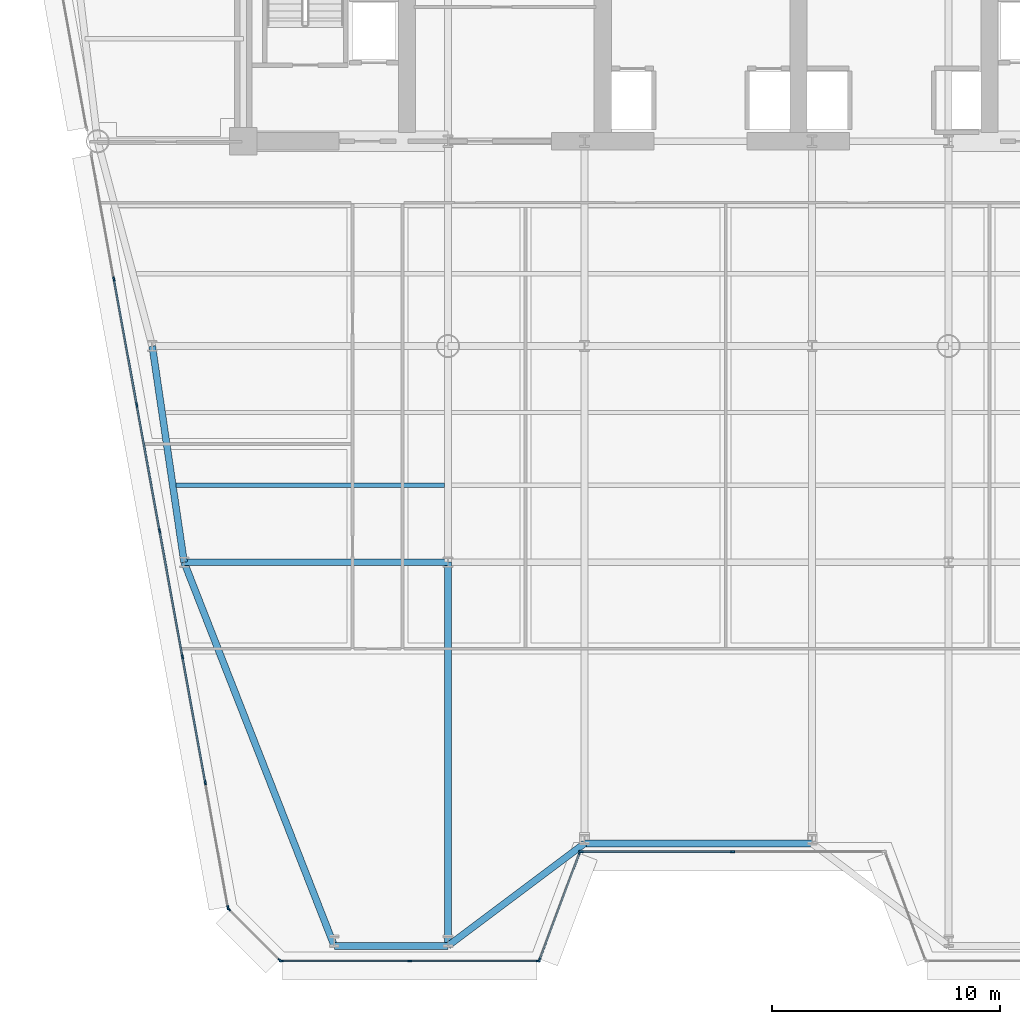
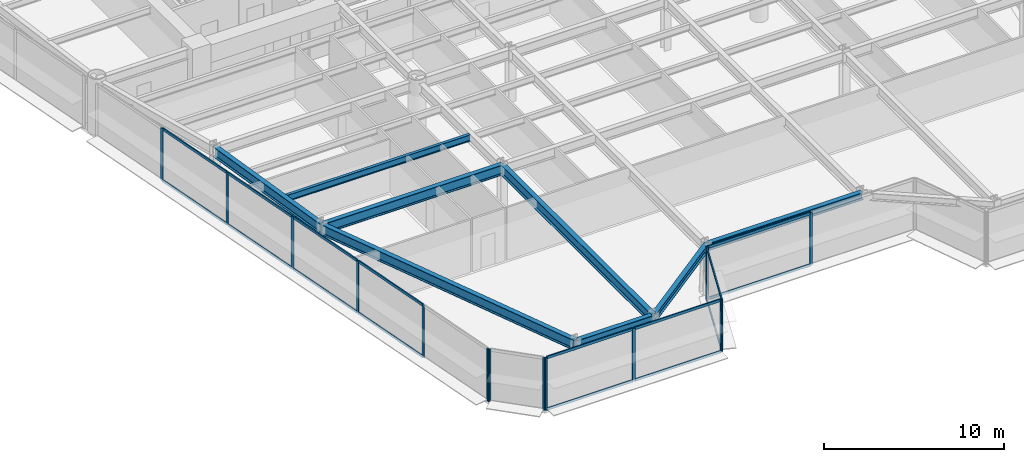
# One storey, part 2 of 14: 31 members, 8 beams, 5 elements without a shape of their own.
"""IFC4 building model written with IfcOpenShell, lengths in metres."""

from ifc_helpers import new_model, si_unit, direction, frame, origin, origin_2d, place, context, subcontext, project, spatial, rectangle, i_section, extrude, source, transform, mapped, material, layer, layer_set, material_profile, profile_set, type_object, element, aggregate, save


model = new_model("IFC4")

# Units and contexts
model_context = context("Model", 3, precision=1e-05, world=origin(), true_north=direction((0.0, 1.0)))
body_context = subcontext(model_context, "Body", "Model", "MODEL_VIEW")
ifc_project = project(units=[si_unit("LENGTHUNIT", "METRE"), si_unit("AREAUNIT", "SQUARE_METRE"), si_unit("VOLUMEUNIT", "CUBIC_METRE"), si_unit("PLANEANGLEUNIT", "RADIAN"), si_unit("MASSUNIT", "GRAM", prefix="KILO")], contexts=[model_context])

# Site, building, storey
site_placement = place(None, origin())
site = spatial("IfcSite", under=ifc_project, at=site_placement, CompositionType="ELEMENT")
building_placement = place(site_placement, origin())
building = spatial("IfcBuilding", under=site, at=building_placement, Name="Vaeldorn Concourse Tower", CompositionType="ELEMENT")
storey_placement = place(building_placement, frame((0.0, 0.0, 137.60009765625)))
storey = spatial("IfcBuildingStorey", under=building, at=storey_placement, Name="L35", CompositionType="ELEMENT", Elevation=137.60009765625)

# Beams
ifc_material_1 = material(Name="Steel S355", Category="steel")
ifc_material_profile_1 = material_profile(ifc_material_1, i_section(OverallWidth=0.300048828125, OverallDepth=0.5, WebThickness=0.014404296875, FlangeThickness=0.028076171875, FilletRadius=0.027099609375, at=origin_2d()), Name="HEB 500")
ifc_profile_set_1 = profile_set([ifc_material_profile_1], Name="Steel S355")
beam_type_1 = type_object("IfcBeamType", Name="BM-SP-HEB500", PredefinedType="SPANDREL", material=ifc_profile_set_1)
shared_shape_1 = source(origin(), body_context, "Body", "SweptSolid", [
    extrude(i_section(OverallWidth=0.300048828125, OverallDepth=0.5, WebThickness=0.014404296875, FlangeThickness=0.028076171875, FilletRadius=0.027099609375, at=origin_2d()), origin(), (0.0, 0.0, 1.0), 5.0),
])
beam_1_placement = place(storey_placement, frame((18.0, 1.13916015625, 3.329833984375), z_axis=(1.0, 0.0, 0.0), x_axis=(0.0, 1.0, 0.0)))
element("IfcBeam", 1, at=beam_1_placement, inside=storey, type_object=beam_type_1, Name="Beam BM-L35-C-SF1-C-SF2", PredefinedType="SPANDREL", context=body_context, shape_type="MappedRepresentation", body=[
    mapped(shared_shape_1, transform((0.0, 0.0, 0.0), scale=1.0)),
])
shared_shape_2 = source(origin(), body_context, "Body", "SweptSolid", [
    extrude(i_section(OverallWidth=0.300048828125, OverallDepth=0.5, WebThickness=0.014404296875, FlangeThickness=0.028076171875, FilletRadius=0.027099609375, at=origin_2d()), origin(), (0.0, 0.0, 1.0), 7.5),
])
beam_2_placement = place(storey_placement, frame((23.0, 1.13916015625, 3.329833984375), z_axis=(0.8, 0.6, 0.0), x_axis=(-0.6, 0.8, 0.0)))
element("IfcBeam", 2, at=beam_2_placement, inside=storey, type_object=beam_type_1, Name="Beam BM-L35-C-SF2-C-SF3", PredefinedType="SPANDREL", context=body_context, shape_type="MappedRepresentation", body=[
    mapped(shared_shape_2, transform((0.0, 0.0, 0.0), scale=1.0)),
])
shared_shape_3 = source(origin(), body_context, "Body", "SweptSolid", [
    extrude(i_section(OverallWidth=0.300048828125, OverallDepth=0.5, WebThickness=0.014404296875, FlangeThickness=0.028076171875, FilletRadius=0.027099609375, at=origin_2d()), origin(), (0.0, 0.0, 1.0), 10.0),
])
beam_3_placement = place(storey_placement, frame((29.0, 5.63916015625, 3.329833984375), z_axis=(1.0, 0.0, 0.0), x_axis=(0.0, 1.0, 0.0)))
element("IfcBeam", 3, at=beam_3_placement, inside=storey, type_object=beam_type_1, Name="Beam BM-L35-C-SF3-C-SF4", PredefinedType="SPANDREL", context=body_context, shape_type="MappedRepresentation", body=[
    mapped(shared_shape_3, transform((0.0, 0.0, 0.0), scale=1.0)),
])
ifc_material_profile_2 = material_profile(ifc_material_1, i_section(OverallWidth=0.300048828125, OverallDepth=0.699951171875, WebThickness=0.01708984375, FlangeThickness=0.031982421875, FilletRadius=0.027099609375, at=origin_2d()), Name="HEB 700")
ifc_profile_set_2 = profile_set([ifc_material_profile_2], Name="Steel S355")
beam_type_2 = type_object("IfcBeamType", Name="BM-PG-HEB700", PredefinedType="BEAM", material=ifc_profile_set_2)
shared_shape_4 = source(origin(), body_context, "Body", "SweptSolid", [
    extrude(i_section(OverallWidth=0.300048828125, OverallDepth=0.699951171875, WebThickness=0.01708984375, FlangeThickness=0.031982421875, FilletRadius=0.027099609375, at=origin_2d()), origin(), (0.0, 0.0, 1.0), 9.6025390625),
])
beam_4_placement = place(storey_placement, frame((10.0, 27.5, 3.22998046875), z_axis=(0.145783835977, -0.989316467652, 0.0), x_axis=(0.989316467652, 0.145783835977, 0.0)))
element("IfcBeam", 4, at=beam_4_placement, inside=storey, type_object=beam_type_2, Name="Beam BM-L35-C-FLW1-C-FLW2", PredefinedType="BEAM", context=body_context, shape_type="MappedRepresentation", body=[
    mapped(shared_shape_4, transform((0.0, 0.0, 0.0), scale=1.0)),
])
shared_shape_5 = source(origin(), body_context, "Body", "SweptSolid", [
    extrude(i_section(OverallWidth=0.300048828125, OverallDepth=0.699951171875, WebThickness=0.01708984375, FlangeThickness=0.031982421875, FilletRadius=0.027099609375, at=origin_2d()), origin(), (0.0, 0.0, 1.0), 11.60009765625),
])
beam_5_placement = place(storey_placement, frame((11.39990234375, 18.0, 3.22998046875), z_axis=(1.0, 0.0, 0.0), x_axis=(0.0, 1.0, 0.0)))
element("IfcBeam", 5, at=beam_5_placement, inside=storey, type_object=beam_type_2, Name="Beam BM-L35-C-FLW2-C-TW5", PredefinedType="BEAM", context=body_context, shape_type="MappedRepresentation", body=[
    mapped(shared_shape_5, transform((0.0, 0.0, 0.0), scale=1.0)),
])
shared_shape_6 = source(origin(), body_context, "Body", "SweptSolid", [
    extrude(i_section(OverallWidth=0.300048828125, OverallDepth=0.699951171875, WebThickness=0.01708984375, FlangeThickness=0.031982421875, FilletRadius=0.027099609375, at=origin_2d()), origin(), (0.0, 0.0, 1.0), 18.106689453125),
])
beam_6_placement = place(storey_placement, frame((18.0, 1.13916015625, 3.22998046875), z_axis=(-0.36451322626, 0.931198210845, 0.0), x_axis=(-0.931198210845, -0.36451322626, 0.0)))
element("IfcBeam", 6, at=beam_6_placement, inside=storey, type_object=beam_type_2, Name="Beam BM-L35-C-SF1-C-FLW2", PredefinedType="BEAM", context=body_context, shape_type="MappedRepresentation", body=[
    mapped(shared_shape_6, transform((0.0, 0.0, 0.0), scale=1.0)),
])
shared_shape_7 = source(origin(), body_context, "Body", "SweptSolid", [
    extrude(i_section(OverallWidth=0.300048828125, OverallDepth=0.699951171875, WebThickness=0.01708984375, FlangeThickness=0.031982421875, FilletRadius=0.027099609375, at=origin_2d()), origin(), (0.0, 0.0, 1.0), 16.86083984375),
])
beam_7_placement = place(storey_placement, frame((23.0, 1.13916015625, 3.22998046875), z_axis=(0.0, 1.0, 0.0), x_axis=(-1.0, 0.0, 0.0)))
element("IfcBeam", 7, at=beam_7_placement, inside=storey, type_object=beam_type_2, Name="Beam BM-L35-C-SF2-C-TW5", PredefinedType="BEAM", context=body_context, shape_type="MappedRepresentation", body=[
    mapped(shared_shape_7, transform((0.0, 0.0, 0.0), scale=1.0)),
])
ifc_material_profile_3 = material_profile(ifc_material_1, i_section(OverallWidth=0.18994140625, OverallDepth=0.449951171875, WebThickness=0.009521484375, FlangeThickness=0.0146484375, FilletRadius=0.02099609375, at=origin_2d()), Name="IPE 450")
ifc_profile_set_3 = profile_set([ifc_material_profile_3], Name="Steel S355")
beam_type_3 = type_object("IfcBeamType", Name="BM-JS-IPE450", PredefinedType="JOIST", material=ifc_profile_set_3)
shared_shape_8 = source(origin(), body_context, "Body", "SweptSolid", [
    extrude(i_section(OverallWidth=0.18994140625, OverallDepth=0.449951171875, WebThickness=0.009521484375, FlangeThickness=0.0146484375, FilletRadius=0.02099609375, at=origin_2d()), origin(), (0.0, 0.0, 1.0), 11.798095703125),
])
beam_8_placement = place(storey_placement, frame((11.052001953125, 21.3798828125, 3.35498046875), z_axis=(1.0, 0.0, 0.0), x_axis=(0.0, 1.0, 0.0)))
element("IfcBeam", 8, at=beam_8_placement, inside=storey, type_object=beam_type_3, Name="Beam JS-L35-W1-213", PredefinedType="JOIST", context=body_context, shape_type="MappedRepresentation", body=[
    mapped(shared_shape_8, transform((0.0, 0.0, 0.0), scale=1.0)),
])

# Curtain wall, members
ifc_material_2 = material(Name="Anodised Bronze Aluminium", Category="aluminium")
ifc_layer = layer(ifc_material_2, 0.199951171875)
ifc_layer_set = layer_set([ifc_layer], Name="Anodised Bronze Aluminium")
curtain_wall_type = type_object("IfcCurtainWallType", Name="CW-SYS-02", PredefinedType="NOTDEFINED", material=ifc_layer_set)
curtain_wall_1_placement = place(storey_placement, origin())
curtain_wall_1 = element("IfcCurtainWall", 9, at=curtain_wall_1_placement, inside=storey, type_object=curtain_wall_type, Name="Unitised Curtain Wall CW-L35-E03-1", PredefinedType="NOTDEFINED")
ifc_material_profile_4 = material_profile(ifc_material_2, rectangle(XDim=0.074951171875, YDim=0.179931640625, at=origin_2d()), Name="CWT 75x180")
ifc_profile_set_4 = profile_set([ifc_material_profile_4], Name="Anodised Bronze Aluminium")
member_type_1 = type_object("IfcMemberType", Name="CWT-BRONZE-180", PredefinedType="USERDEFINED", material=ifc_profile_set_4)
shared_shape_9 = source(origin(), body_context, "Body", "SweptSolid", [
    extrude(rectangle(XDim=0.074951171875, YDim=0.179931640625, at=origin_2d()), origin(), (0.0, 0.0, 1.0), 6.58740234375),
])
member_1_placement = place(storey_placement, frame((28.875, 5.2783203125, 0.037353515625), z_axis=(1.0, 0.0, 0.0), x_axis=(0.0, 1.0, 0.0)))
member_1 = element("IfcMember", 10, at=member_1_placement, type_object=member_type_1, Name="CW-02 transom 1.1", ObjectType="TRANSOM", PredefinedType="USERDEFINED", context=body_context, shape_type="MappedRepresentation", body=[
    mapped(shared_shape_9, transform((0.0, 0.0, 0.0), scale=1.0)),
])
member_2_placement = place(storey_placement, frame((28.875, 5.2783203125, 3.54248046875), z_axis=(1.0, 0.0, 0.0), x_axis=(0.0, 1.0, 0.0)))
member_2 = element("IfcMember", 11, at=member_2_placement, type_object=member_type_1, Name="CW-02 transom 1.2", ObjectType="TRANSOM", PredefinedType="USERDEFINED", context=body_context, shape_type="MappedRepresentation", body=[
    mapped(shared_shape_9, transform((0.0, 0.0, 0.0), scale=1.0)),
])

curtain_wall_2_placement = place(storey_placement, origin())
curtain_wall_2 = element("IfcCurtainWall", 12, at=curtain_wall_2_placement, inside=storey, type_object=curtain_wall_type, Name="Unitised Curtain Wall CW-L35-E02-1", PredefinedType="NOTDEFINED")
shared_shape_10 = source(origin(), body_context, "Body", "SweptSolid", [
    extrude(rectangle(XDim=0.074951171875, YDim=0.179931640625, at=origin_2d()), origin(), (0.0, 0.0, 1.0), 4.9765625),
])
member_3_placement = place(storey_placement, frame((27.0263671875, 0.54833984375, 0.037353515625), z_axis=(0.351112688987, 0.936333209724, 0.0), x_axis=(-0.936333209724, 0.351112688987, 0.0)))
member_3 = element("IfcMember", 13, at=member_3_placement, type_object=member_type_1, Name="CW-02 transom 1.1", ObjectType="TRANSOM", PredefinedType="USERDEFINED", context=body_context, shape_type="MappedRepresentation", body=[
    mapped(shared_shape_10, transform((0.0, 0.0, 0.0), scale=1.0)),
])
member_4_placement = place(storey_placement, frame((27.0263671875, 0.54833984375, 3.54248046875), z_axis=(0.351112688987, 0.936333209724, 0.0), x_axis=(-0.936333209724, 0.351112688987, 0.0)))
member_4 = element("IfcMember", 14, at=member_4_placement, type_object=member_type_1, Name="CW-02 transom 1.2", ObjectType="TRANSOM", PredefinedType="USERDEFINED", context=body_context, shape_type="MappedRepresentation", body=[
    mapped(shared_shape_10, transform((0.0, 0.0, 0.0), scale=1.0)),
])

curtain_wall_3_placement = place(storey_placement, origin())
curtain_wall_3 = element("IfcCurtainWall", 15, at=curtain_wall_3_placement, inside=storey, type_object=curtain_wall_type, Name="Unitised Curtain Wall CW-L35-E01-1", PredefinedType="NOTDEFINED")
shared_shape_11 = source(origin(), body_context, "Body", "SweptSolid", [
    extrude(rectangle(XDim=0.074951171875, YDim=0.179931640625, at=origin_2d()), origin(), (0.0, 0.0, 1.0), 5.5693359375),
])
member_5_placement = place(storey_placement, frame((15.711181640625, 0.478271484375, 0.037353515625), z_axis=(1.0, 0.0, 0.0), x_axis=(0.0, 1.0, 0.0)))
member_5 = element("IfcMember", 16, at=member_5_placement, type_object=member_type_1, Name="CW-02 transom 1.1", ObjectType="TRANSOM", PredefinedType="USERDEFINED", context=body_context, shape_type="MappedRepresentation", body=[
    mapped(shared_shape_11, transform((0.0, 0.0, 0.0), scale=1.0)),
])
member_6_placement = place(storey_placement, frame((15.711181640625, 0.478271484375, 3.54248046875), z_axis=(1.0, 0.0, 0.0), x_axis=(0.0, 1.0, 0.0)))
member_6 = element("IfcMember", 17, at=member_6_placement, type_object=member_type_1, Name="CW-02 transom 1.2", ObjectType="TRANSOM", PredefinedType="USERDEFINED", context=body_context, shape_type="MappedRepresentation", body=[
    mapped(shared_shape_11, transform((0.0, 0.0, 0.0), scale=1.0)),
])
shared_shape_12 = source(origin(), body_context, "Body", "SweptSolid", [
    extrude(rectangle(XDim=0.074951171875, YDim=0.179931640625, at=origin_2d()), origin(), (0.0, 0.0, 1.0), 5.569580078125),
])
member_7_placement = place(storey_placement, frame((21.35546875, 0.478271484375, 0.037353515625), z_axis=(1.0, 0.0, 0.0), x_axis=(0.0, 1.0, 0.0)))
member_7 = element("IfcMember", 18, at=member_7_placement, type_object=member_type_1, Name="CW-02 transom 2.1", ObjectType="TRANSOM", PredefinedType="USERDEFINED", context=body_context, shape_type="MappedRepresentation", body=[
    mapped(shared_shape_12, transform((0.0, 0.0, 0.0), scale=1.0)),
])
member_8_placement = place(storey_placement, frame((21.35546875, 0.478271484375, 3.54248046875), z_axis=(1.0, 0.0, 0.0), x_axis=(0.0, 1.0, 0.0)))
member_8 = element("IfcMember", 19, at=member_8_placement, type_object=member_type_1, Name="CW-02 transom 2.2", ObjectType="TRANSOM", PredefinedType="USERDEFINED", context=body_context, shape_type="MappedRepresentation", body=[
    mapped(shared_shape_12, transform((0.0, 0.0, 0.0), scale=1.0)),
])
ifc_material_profile_5 = material_profile(ifc_material_2, rectangle(XDim=0.074951171875, YDim=0.18994140625, at=origin_2d()), Name="CWM 75x190")
ifc_profile_set_5 = profile_set([ifc_material_profile_5], Name="Anodised Bronze Aluminium")
member_type_2 = type_object("IfcMemberType", Name="CWM-BRONZE-190", PredefinedType="MULLION", material=ifc_profile_set_5)
shared_shape_13 = source(origin(), body_context, "Body", "SweptSolid", [
    extrude(rectangle(XDim=0.074951171875, YDim=0.18994140625, at=origin_2d()), origin(), (0.0, 0.0, 1.0), 3.579833984375),
])
member_9_placement = place(storey_placement, frame((15.673583984375, 0.478271484375, 0.0), z_axis=(0.0, 0.0, 1.0), x_axis=(0.0, 1.0, 0.0)))
member_9 = element("IfcMember", 20, at=member_9_placement, type_object=member_type_2, Name="CW-02 mullion 1", PredefinedType="MULLION", context=body_context, shape_type="MappedRepresentation", body=[
    mapped(shared_shape_13, transform((0.0, 0.0, 0.0), scale=1.0)),
])
member_10_placement = place(storey_placement, frame((21.318115234375, 0.478271484375, 0.0), z_axis=(0.0, 0.0, 1.0), x_axis=(0.0, 1.0, 0.0)))
member_10 = element("IfcMember", 21, at=member_10_placement, type_object=member_type_2, Name="CW-02 mullion 2", PredefinedType="MULLION", context=body_context, shape_type="MappedRepresentation", body=[
    mapped(shared_shape_13, transform((0.0, 0.0, 0.0), scale=1.0)),
])
member_11_placement = place(storey_placement, frame((26.96240234375, 0.478271484375, 0.0), z_axis=(0.0, 0.0, 1.0), x_axis=(0.0, 1.0, 0.0)))
member_11 = element("IfcMember", 22, at=member_11_placement, type_object=member_type_2, Name="CW-02 mullion 3", PredefinedType="MULLION", context=body_context, shape_type="MappedRepresentation", body=[
    mapped(shared_shape_13, transform((0.0, 0.0, 0.0), scale=1.0)),
])
aggregate(curtain_wall_3, [member_9, member_10, member_11, member_5, member_6, member_7, member_8])

# Member
member_12_placement = place(storey_placement, frame((27.01318359375, 0.513427734375, 0.0), z_axis=(0.0, 0.0, 1.0), x_axis=(-0.936329177566, 0.351123441595, 0.0)))
member_12 = element("IfcMember", 23, at=member_12_placement, type_object=member_type_2, Name="CW-02 mullion 1", PredefinedType="MULLION", context=body_context, shape_type="MappedRepresentation", body=[
    mapped(shared_shape_13, transform((0.0, 0.0, 0.0), scale=1.0)),
])

member_13_placement = place(storey_placement, frame((28.786865234375, 5.2431640625, 0.0), z_axis=(0.0, 0.0, 1.0), x_axis=(-0.936329177566, 0.351123441595, 0.0)))
member_13 = element("IfcMember", 24, at=member_13_placement, type_object=member_type_2, Name="CW-02 mullion 2", PredefinedType="MULLION", context=body_context, shape_type="MappedRepresentation", body=[
    mapped(shared_shape_13, transform((0.0, 0.0, 0.0), scale=1.0)),
])

aggregate(curtain_wall_2, [member_12, member_13, member_3, member_4])

member_14_placement = place(storey_placement, frame((28.83740234375, 5.2783203125, 0.0), z_axis=(0.0, 0.0, 1.0), x_axis=(0.0, 1.0, 0.0)))
member_14 = element("IfcMember", 25, at=member_14_placement, type_object=member_type_2, Name="CW-02 mullion 1", PredefinedType="MULLION", context=body_context, shape_type="MappedRepresentation", body=[
    mapped(shared_shape_13, transform((0.0, 0.0, 0.0), scale=1.0)),
])

member_15_placement = place(storey_placement, frame((35.5, 5.2783203125, 0.0), z_axis=(0.0, 0.0, 1.0), x_axis=(0.0, 1.0, 0.0)))
member_15 = element("IfcMember", 26, at=member_15_placement, type_object=member_type_2, Name="CW-02 mullion 2", PredefinedType="MULLION", context=body_context, shape_type="MappedRepresentation", body=[
    mapped(shared_shape_13, transform((0.0, 0.0, 0.0), scale=1.0)),
])

aggregate(curtain_wall_1, [member_14, member_15, member_1, member_2])

# Curtain wall, members
curtain_wall_4_placement = place(storey_placement, origin())
curtain_wall_4 = element("IfcCurtainWall", 27, at=curtain_wall_4_placement, inside=storey, type_object=curtain_wall_type, Name="Unitised Curtain Wall CW-L35-E11-2", PredefinedType="NOTDEFINED")
member_16_placement = place(storey_placement, frame((8.313232421875, 30.447998046875, 0.0), z_axis=(0.0, 0.0, 1.0), x_axis=(0.983920223109, 0.178608495197, 0.0)))
member_16 = element("IfcMember", 28, at=member_16_placement, type_object=member_type_2, Name="CW-02 mullion 2", PredefinedType="MULLION", context=body_context, shape_type="MappedRepresentation", body=[
    mapped(shared_shape_13, transform((0.0, 0.0, 0.0), scale=1.0)),
])
member_17_placement = place(storey_placement, frame((9.31787109375, 24.9140625, 0.0), z_axis=(0.0, 0.0, 1.0), x_axis=(0.983920223109, 0.178608495197, 0.0)))
member_17 = element("IfcMember", 29, at=member_17_placement, type_object=member_type_2, Name="CW-02 mullion 3", PredefinedType="MULLION", context=body_context, shape_type="MappedRepresentation", body=[
    mapped(shared_shape_13, transform((0.0, 0.0, 0.0), scale=1.0)),
])
member_18_placement = place(storey_placement, frame((10.322509765625, 19.380126953125, 0.0), z_axis=(0.0, 0.0, 1.0), x_axis=(0.983920223109, 0.178608495197, 0.0)))
member_18 = element("IfcMember", 30, at=member_18_placement, type_object=member_type_2, Name="CW-02 mullion 4", PredefinedType="MULLION", context=body_context, shape_type="MappedRepresentation", body=[
    mapped(shared_shape_13, transform((0.0, 0.0, 0.0), scale=1.0)),
])
member_19_placement = place(storey_placement, frame((11.326904296875, 13.84619140625, 0.0), z_axis=(0.0, 0.0, 1.0), x_axis=(0.983920223109, 0.178608495197, 0.0)))
member_19 = element("IfcMember", 31, at=member_19_placement, type_object=member_type_2, Name="CW-02 mullion 5", PredefinedType="MULLION", context=body_context, shape_type="MappedRepresentation", body=[
    mapped(shared_shape_13, transform((0.0, 0.0, 0.0), scale=1.0)),
])
member_20_placement = place(storey_placement, frame((12.33154296875, 8.312255859375, 0.0), z_axis=(0.0, 0.0, 1.0), x_axis=(0.983920223109, 0.178608495197, 0.0)))
member_20 = element("IfcMember", 32, at=member_20_placement, type_object=member_type_2, Name="CW-02 mullion 6", PredefinedType="MULLION", context=body_context, shape_type="MappedRepresentation", body=[
    mapped(shared_shape_13, transform((0.0, 0.0, 0.0), scale=1.0)),
])
member_21_placement = place(storey_placement, frame((13.329345703125, 2.815185546875, 0.0), z_axis=(0.0, 0.0, 1.0), x_axis=(0.983920223109, 0.178608495197, 0.0)))
member_21 = element("IfcMember", 33, at=member_21_placement, type_object=member_type_2, Name="CW-02 mullion 7", PredefinedType="MULLION", context=body_context, shape_type="MappedRepresentation", body=[
    mapped(shared_shape_13, transform((0.0, 0.0, 0.0), scale=1.0)),
])

curtain_wall_5_placement = place(storey_placement, origin())
curtain_wall_5 = element("IfcCurtainWall", 34, at=curtain_wall_5_placement, inside=storey, type_object=curtain_wall_type, Name="Unitised Curtain Wall CW-L35-E12-1", PredefinedType="NOTDEFINED")
member_22_placement = place(storey_placement, frame((13.362548828125, 2.751708984375, 0.0), z_axis=(0.0, 0.0, 1.0), x_axis=(0.707106781187, 0.707106781187, 0.0)))
member_22 = element("IfcMember", 35, at=member_22_placement, type_object=member_type_2, Name="CW-02 mullion 1", PredefinedType="MULLION", context=body_context, shape_type="MappedRepresentation", body=[
    mapped(shared_shape_13, transform((0.0, 0.0, 0.0), scale=1.0)),
])
member_23_placement = place(storey_placement, frame((15.609619140625, 0.504638671875, 0.0), z_axis=(0.0, 0.0, 1.0), x_axis=(0.707106781187, 0.707106781187, 0.0)))
member_23 = element("IfcMember", 36, at=member_23_placement, type_object=member_type_2, Name="CW-02 mullion 2", PredefinedType="MULLION", context=body_context, shape_type="MappedRepresentation", body=[
    mapped(shared_shape_13, transform((0.0, 0.0, 0.0), scale=1.0)),
])
aggregate(curtain_wall_5, [member_22, member_23])

# Member
shared_shape_14 = source(origin(), body_context, "Body", "SweptSolid", [
    extrude(rectangle(XDim=0.074951171875, YDim=0.179931640625, at=origin_2d()), origin(), (0.0, 0.0, 1.0), 5.549560546875),
])
member_24_placement = place(storey_placement, frame((9.324462890625, 24.877197265625, 0.037353515625), z_axis=(0.17861443021, -0.983919145723, 0.0), x_axis=(0.983919145723, 0.17861443021, 0.0)))
member_24 = element("IfcMember", 37, at=member_24_placement, type_object=member_type_1, Name="CW-02 transom 3.1", ObjectType="TRANSOM", PredefinedType="USERDEFINED", context=body_context, shape_type="MappedRepresentation", body=[
    mapped(shared_shape_14, transform((0.0, 0.0, 0.0), scale=1.0)),
])

member_25_placement = place(storey_placement, frame((9.324462890625, 24.877197265625, 3.54248046875), z_axis=(0.17861443021, -0.983919145723, 0.0), x_axis=(0.983919145723, 0.17861443021, 0.0)))
member_25 = element("IfcMember", 38, at=member_25_placement, type_object=member_type_1, Name="CW-02 transom 3.2", ObjectType="TRANSOM", PredefinedType="USERDEFINED", context=body_context, shape_type="MappedRepresentation", body=[
    mapped(shared_shape_14, transform((0.0, 0.0, 0.0), scale=1.0)),
])

member_26_placement = place(storey_placement, frame((10.3291015625, 19.34326171875, 0.037353515625), z_axis=(0.17861443021, -0.983919145723, 0.0), x_axis=(0.983919145723, 0.17861443021, 0.0)))
member_26 = element("IfcMember", 39, at=member_26_placement, type_object=member_type_1, Name="CW-02 transom 4.1", ObjectType="TRANSOM", PredefinedType="USERDEFINED", context=body_context, shape_type="MappedRepresentation", body=[
    mapped(shared_shape_14, transform((0.0, 0.0, 0.0), scale=1.0)),
])

member_27_placement = place(storey_placement, frame((10.3291015625, 19.34326171875, 3.54248046875), z_axis=(0.17861443021, -0.983919145723, 0.0), x_axis=(0.983919145723, 0.17861443021, 0.0)))
member_27 = element("IfcMember", 40, at=member_27_placement, type_object=member_type_1, Name="CW-02 transom 4.2", ObjectType="TRANSOM", PredefinedType="USERDEFINED", context=body_context, shape_type="MappedRepresentation", body=[
    mapped(shared_shape_14, transform((0.0, 0.0, 0.0), scale=1.0)),
])

member_28_placement = place(storey_placement, frame((11.333740234375, 13.809326171875, 0.037353515625), z_axis=(0.17861443021, -0.983919145723, 0.0), x_axis=(0.983919145723, 0.17861443021, 0.0)))
member_28 = element("IfcMember", 41, at=member_28_placement, type_object=member_type_1, Name="CW-02 transom 5.1", ObjectType="TRANSOM", PredefinedType="USERDEFINED", context=body_context, shape_type="MappedRepresentation", body=[
    mapped(shared_shape_14, transform((0.0, 0.0, 0.0), scale=1.0)),
])

member_29_placement = place(storey_placement, frame((11.333740234375, 13.809326171875, 3.54248046875), z_axis=(0.17861443021, -0.983919145723, 0.0), x_axis=(0.983919145723, 0.17861443021, 0.0)))
member_29 = element("IfcMember", 42, at=member_29_placement, type_object=member_type_1, Name="CW-02 transom 5.2", ObjectType="TRANSOM", PredefinedType="USERDEFINED", context=body_context, shape_type="MappedRepresentation", body=[
    mapped(shared_shape_14, transform((0.0, 0.0, 0.0), scale=1.0)),
])

shared_shape_15 = source(origin(), body_context, "Body", "SweptSolid", [
    extrude(rectangle(XDim=0.074951171875, YDim=0.179931640625, at=origin_2d()), origin(), (0.0, 0.0, 1.0), 5.54931640625),
])
member_30_placement = place(storey_placement, frame((8.320068359375, 30.4111328125, 0.037353515625), z_axis=(0.178571839542, -0.98392687641, 0.0), x_axis=(0.98392687641, 0.178571839542, 0.0)))
member_30 = element("IfcMember", 43, at=member_30_placement, type_object=member_type_1, Name="CW-02 transom 2.1", ObjectType="TRANSOM", PredefinedType="USERDEFINED", context=body_context, shape_type="MappedRepresentation", body=[
    mapped(shared_shape_15, transform((0.0, 0.0, 0.0), scale=1.0)),
])

member_31_placement = place(storey_placement, frame((8.320068359375, 30.4111328125, 3.54248046875), z_axis=(0.178571839542, -0.98392687641, 0.0), x_axis=(0.98392687641, 0.178571839542, 0.0)))
member_31 = element("IfcMember", 44, at=member_31_placement, type_object=member_type_1, Name="CW-02 transom 2.2", ObjectType="TRANSOM", PredefinedType="USERDEFINED", context=body_context, shape_type="MappedRepresentation", body=[
    mapped(shared_shape_15, transform((0.0, 0.0, 0.0), scale=1.0)),
])

aggregate(curtain_wall_4, [member_16, member_17, member_18, member_19, member_20, member_21, member_30, member_31, member_24, member_25, member_26, member_27, member_28, member_29])

save(model, "model.ifc")
